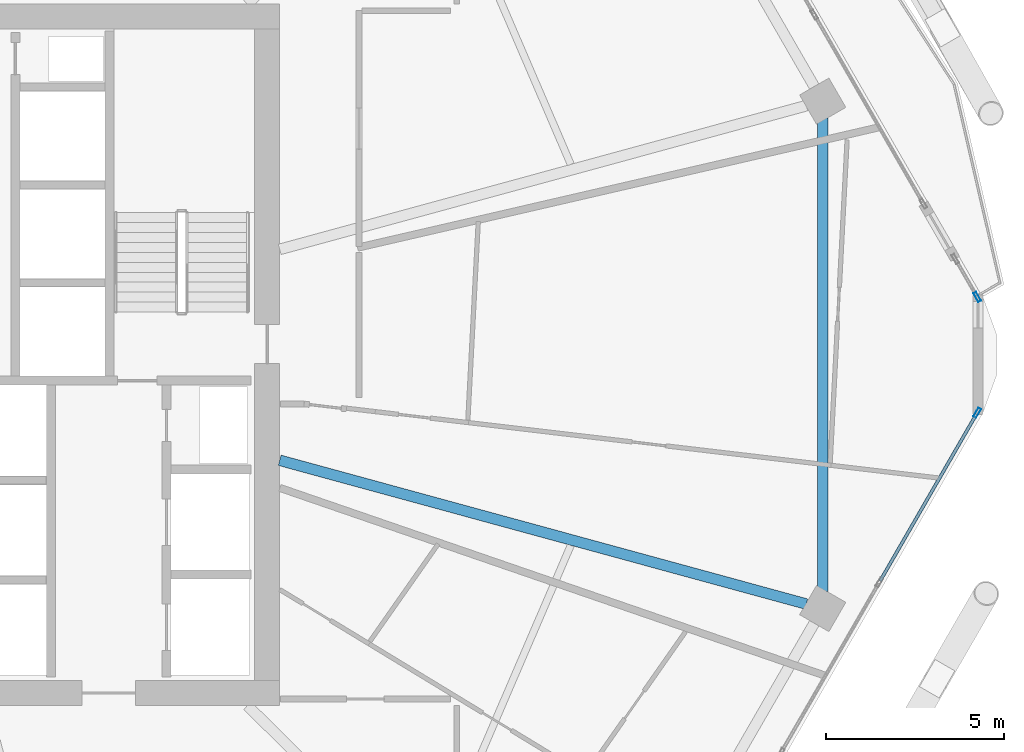
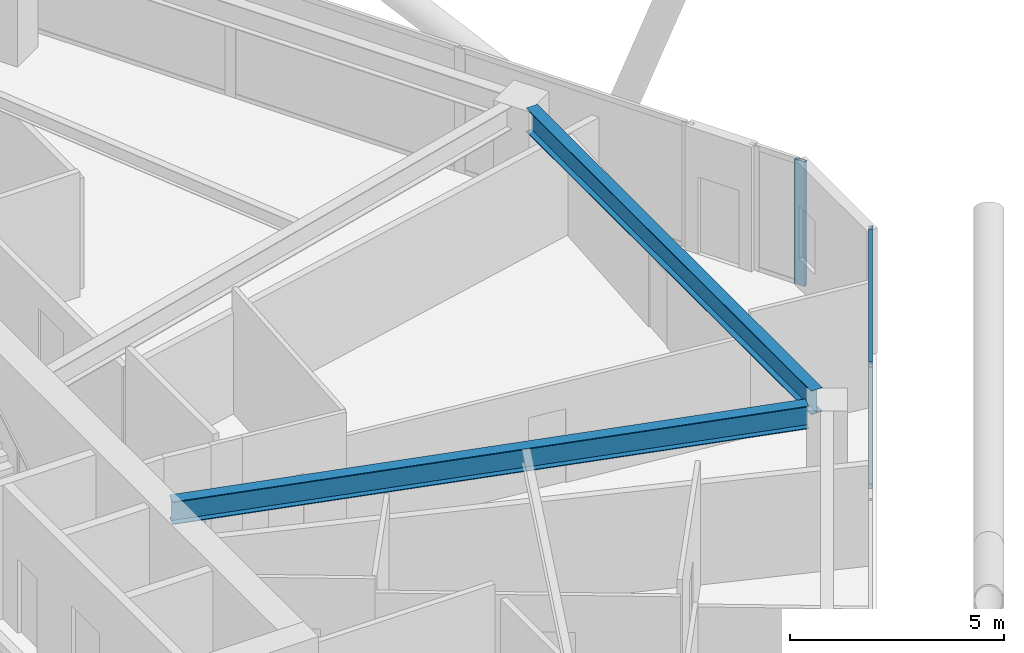
# One storey, part 9 of 27: 4 members, 2 beams, 2 elements without a shape of their own.
"""IFC4 building model written with IfcOpenShell, lengths in metres."""

from ifc_helpers import new_model, si_unit, direction, frame, origin, origin_2d, place, context, subcontext, project, spatial, hollow_rectangle, i_section, extrude, material, material_profile, profile_set, type_object, element, aggregate, save


model = new_model("IFC4")

# Units and contexts
model_context = context("Model", 3, precision=1e-05, world=origin(), true_north=direction((0.0, 1.0)))
body_context = subcontext(model_context, "Body", "Model", "MODEL_VIEW")
ifc_project = project(units=[si_unit("LENGTHUNIT", "METRE"), si_unit("AREAUNIT", "SQUARE_METRE"), si_unit("VOLUMEUNIT", "CUBIC_METRE"), si_unit("PLANEANGLEUNIT", "RADIAN"), si_unit("MASSUNIT", "GRAM", prefix="KILO")], contexts=[model_context])

# Site, building, storey
site_placement = place(None, origin())
site = spatial("IfcSite", under=ifc_project, at=site_placement, CompositionType="ELEMENT")
building_placement = place(site_placement, origin())
building = spatial("IfcBuilding", under=site, at=building_placement, Name="Zuhravey Tower", CompositionType="ELEMENT")
storey_placement = place(building_placement, frame((0.0, 0.0, 215.0)))
storey = spatial("IfcBuildingStorey", under=building, at=storey_placement, Name="L54", CompositionType="ELEMENT", Elevation=215.0)

# Curtain wall, member
ifc_material_1 = material(Name="Thermally broken anodised aluminium", Category="aluminium")
curtain_wall_type = type_object("IfcCurtainWallType", Name="Zone 1-2 Residential Curtain Wall CW3", PredefinedType="NOTDEFINED", material=ifc_material_1)
curtain_wall_1_placement = place(storey_placement, origin())
curtain_wall_1 = element("IfcCurtainWall", 1, at=curtain_wall_1_placement, inside=storey, type_object=curtain_wall_type, Name="L54 CW3 CW-L54-F6-1", PredefinedType="NOTDEFINED")
ifc_material_2 = material(Name="Anodised aluminium", Category="aluminium")
ifc_material_profile_1 = material_profile(ifc_material_2, hollow_rectangle(XDim=0.090087890625, YDim=0.284912109375, WallThickness=0.0048828125, at=origin_2d()), Name="ALU-RHS-90x285x5")
ifc_profile_set_1 = profile_set([ifc_material_profile_1], Name="Anodised aluminium")
member_type_1 = type_object("IfcMemberType", Name="Curtain-Wall Mullion 90x180", PredefinedType="MULLION", material=ifc_profile_set_1)
member_1_placement = place(storey_placement, frame((66.44921875, 30.37353515625, 0.0), z_axis=(0.0, 0.0, 1.0), x_axis=(0.866025138215, -0.500000459979, 0.0)))
member_1 = element("IfcMember", 2, at=member_1_placement, type_object=member_type_1, Name="CW3 mullion 1", PredefinedType="MULLION", context=body_context, shape_type="SweptSolid", body=[
    extrude(hollow_rectangle(XDim=0.090087890625, YDim=0.284912109375, WallThickness=0.0048828125, at=origin_2d()), origin(), (0.0, 0.0, 1.0), 3.550048828125),
])

curtain_wall_2_placement = place(storey_placement, origin())
curtain_wall_2 = element("IfcCurtainWall", 3, at=curtain_wall_2_placement, inside=storey, type_object=curtain_wall_type, Name="L54 CW3 CW-L54-F1-2", PredefinedType="NOTDEFINED")
member_2_placement = place(storey_placement, frame((66.44921875, 33.62646484375, 0.0), z_axis=(0.0, 0.0, 1.0), x_axis=(0.866046010308, 0.499964306755, 0.0)))
member_2 = element("IfcMember", 4, at=member_2_placement, type_object=member_type_1, Name="CW3 mullion 2", PredefinedType="MULLION", context=body_context, shape_type="SweptSolid", body=[
    extrude(hollow_rectangle(XDim=0.090087890625, YDim=0.284912109375, WallThickness=0.0048828125, at=origin_2d()), origin(), (0.0, 0.0, 1.0), 3.550048828125),
])
aggregate(curtain_wall_2, [member_2])

# Member
ifc_material_profile_2 = material_profile(ifc_material_2, hollow_rectangle(XDim=0.090087890625, YDim=0.14990234375, WallThickness=0.0048828125, at=origin_2d()), Name="ALU-RHS-90x150x5")
ifc_profile_set_2 = profile_set([ifc_material_profile_2], Name="Anodised aluminium")
member_type_2 = type_object("IfcMemberType", Name="Curtain-Wall Transom 90x150", PredefinedType="USERDEFINED", material=ifc_profile_set_2)
member_3_placement = place(storey_placement, frame((66.4267578125, 30.33447265625, 0.044921875), z_axis=(-0.499993332629, -0.866029253159, 0.0), x_axis=(0.866029253159, -0.499993332629, 0.0)))
member_3 = element("IfcMember", 5, at=member_3_placement, type_object=member_type_2, Name="CW3 transom 1.1", ObjectType="TRANSOM", PredefinedType="USERDEFINED", context=body_context, shape_type="SweptSolid", body=[
    extrude(hollow_rectangle(XDim=0.090087890625, YDim=0.14990234375, WallThickness=0.0048828125, at=origin_2d()), origin(), (0.0, 0.0, 1.0), 5.4091796875),
])

member_4_placement = place(storey_placement, frame((66.4267578125, 30.33447265625, 3.5048828125), z_axis=(-0.499993332629, -0.866029253159, 0.0), x_axis=(0.866029253159, -0.499993332629, 0.0)))
member_4 = element("IfcMember", 6, at=member_4_placement, type_object=member_type_2, Name="CW3 transom 1.2", ObjectType="TRANSOM", PredefinedType="USERDEFINED", context=body_context, shape_type="SweptSolid", body=[
    extrude(hollow_rectangle(XDim=0.090087890625, YDim=0.14990234375, WallThickness=0.0048828125, at=origin_2d()), origin(), (0.0, 0.0, 1.0), 5.4091796875),
])

aggregate(curtain_wall_1, [member_1, member_3, member_4])

# Beams
ifc_material_3 = material(Name="Steel SM355", Category="steel")
ifc_material_profile_3 = material_profile(ifc_material_3, i_section(OverallWidth=0.300048828125, OverallDepth=0.679931640625, WebThickness=0.012939453125, FlangeThickness=0.02197265625, at=origin_2d()), Name="H-680x300x13x22")
ifc_profile_set_3 = profile_set([ifc_material_profile_3], Name="Steel SM355")
beam_type_1 = type_object("IfcBeamType", Name="Perimeter Ring Beam H680x300", PredefinedType="BEAM", material=ifc_profile_set_3)
beam_1_placement = place(storey_placement, frame((62.107666015625, 25.3515625, 3.2099609375), z_axis=(0.0, 1.0, 0.0), x_axis=(-1.0, 0.0, 0.0)))
element("IfcBeam", 7, at=beam_1_placement, inside=storey, type_object=beam_type_1, Name="L54 PB2 BM-L54-PB-12", PredefinedType="BEAM", context=body_context, shape_type="SweptSolid", body=[
    extrude(i_section(OverallWidth=0.300048828125, OverallDepth=0.679931640625, WebThickness=0.012939453125, FlangeThickness=0.02197265625, at=origin_2d()), origin(), (0.0, 0.0, 1.0), 13.296875),
])
ifc_material_profile_4 = material_profile(ifc_material_3, i_section(OverallWidth=0.300048828125, OverallDepth=0.64990234375, WebThickness=0.012939453125, FlangeThickness=0.02197265625, at=origin_2d()), Name="H-650x300x13x22")
ifc_profile_set_4 = profile_set([ifc_material_profile_4], Name="Steel SM355")
beam_type_2 = type_object("IfcBeamType", Name="Radial Primary Girder H650x300", PredefinedType="BEAM", material=ifc_profile_set_4)
beam_2_placement = place(storey_placement, frame((46.85302734375, 29.03759765625, 3.22509765625), z_axis=(0.964701703464, -0.263345065139, 0.0), x_axis=(0.263345065139, 0.964701703464, 0.0)))
element("IfcBeam", 8, at=beam_2_placement, inside=storey, type_object=beam_type_2, Name="L54 RG2 BM-L54-RAD-12", PredefinedType="BEAM", context=body_context, shape_type="SweptSolid", body=[
    extrude(i_section(OverallWidth=0.300048828125, OverallDepth=0.64990234375, WebThickness=0.012939453125, FlangeThickness=0.02197265625, at=origin_2d()), origin(), (0.0, 0.0, 1.0), 15.334716796875),
])

save(model, "model.ifc")
